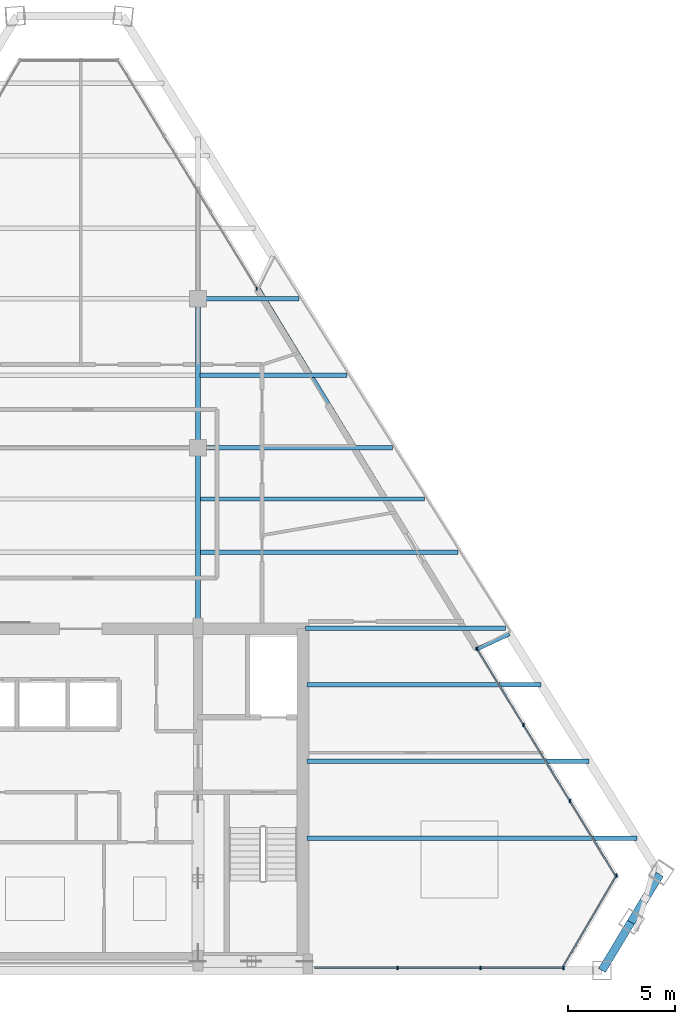
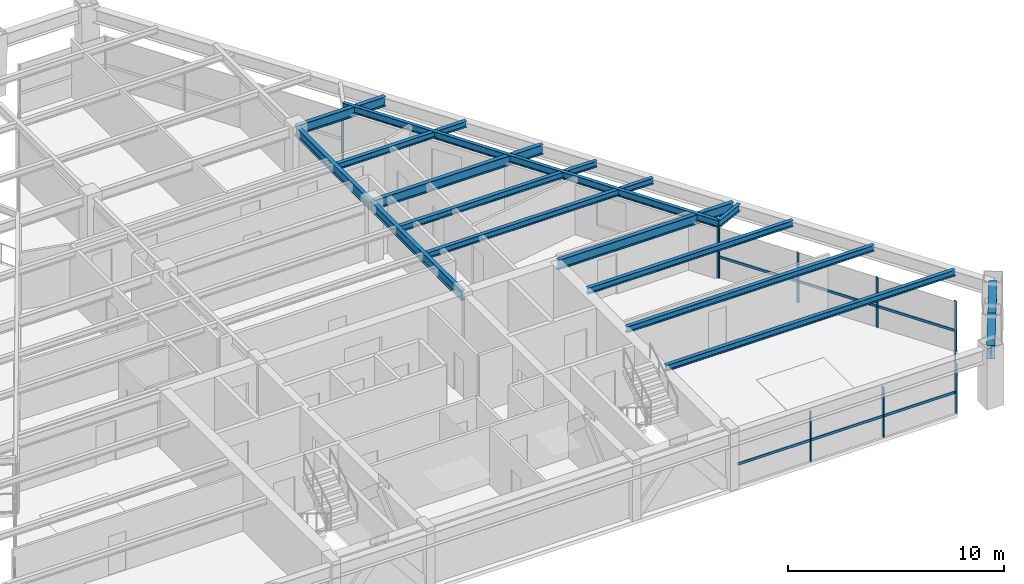
# One storey, part 5 of 13: 16 members, 15 beams, 4 elements without a shape of their own.
"""IFC4 building model written with IfcOpenShell, lengths in metres."""

from ifc_helpers import new_model, si_unit, direction, frame, origin, origin_2d, place, context, subcontext, project, spatial, rectangle, i_section, extrude, source, transform, mapped, material, material_profile, profile_set, type_object, type_shapes, element, aggregate, save


model = new_model("IFC4")

# Units and contexts
model_context = context("Model", 3, precision=1e-05, world=origin(), true_north=direction((0.0, 1.0)))
body_context = subcontext(model_context, "Body", "Model", "MODEL_VIEW")
ifc_project = project(units=[si_unit("LENGTHUNIT", "METRE"), si_unit("AREAUNIT", "SQUARE_METRE"), si_unit("VOLUMEUNIT", "CUBIC_METRE"), si_unit("PLANEANGLEUNIT", "RADIAN"), si_unit("MASSUNIT", "GRAM", prefix="KILO")], contexts=[model_context])

# Site, building, storey
site_placement = place(None, origin())
site = spatial("IfcSite", under=ifc_project, at=site_placement, CompositionType="ELEMENT")
building_placement = place(site_placement, origin())
building = spatial("IfcBuilding", under=site, at=building_placement, Name="Varnakhor Terracotta Tower", CompositionType="ELEMENT")
storey_placement = place(building_placement, frame((0.0, 0.0, 251.050048828125)))
storey = spatial("IfcBuildingStorey", under=building, at=storey_placement, Name="L65", CompositionType="ELEMENT", Elevation=251.050048828125)

# Beams
ifc_material_1 = material(Name="Steel S355", Category="steel")
ifc_material_profile_1 = material_profile(ifc_material_1, i_section(OverallWidth=0.214111328125, OverallDepth=0.549072265625, WebThickness=0.014892578125, FlangeThickness=0.02392578125, FilletRadius=0.01806640625, at=origin_2d()), Name="W21X93")
ifc_profile_set_1 = profile_set([ifc_material_profile_1], Name="Steel S355")
beam_type_1 = type_object("IfcBeamType", Name="BM-W21X93", PredefinedType="BEAM", material=ifc_profile_set_1)
shared_shape_1 = source(origin(), body_context, "Body", "SweptSolid", [
    extrude(i_section(OverallWidth=0.214111328125, OverallDepth=0.549072265625, WebThickness=0.014892578125, FlangeThickness=0.02392578125, FilletRadius=0.01806640625, at=origin_2d()), origin(), (0.0, 0.0, 1.0), 8.449951171875),
])
type_shapes(beam_type_1, [shared_shape_1])
beam_1_placement = place(storey_placement, frame((5.5, 16.050048828125, 2.96533203125), z_axis=(0.0, 1.0, 0.0), x_axis=(-1.0, 0.0, 0.0)))
element("IfcBeam", 1, at=beam_1_placement, inside=storey, type_object=beam_type_1, Name="L65 Primary Girder NS1-E", PredefinedType="BEAM", context=body_context, shape_type="MappedRepresentation", body=[
    mapped(shared_shape_1, transform((0.0, 0.0, 0.0), scale=1.0)),
])
shared_shape_2 = source(origin(), body_context, "Body", "SweptSolid", [
    extrude(i_section(OverallWidth=0.214111328125, OverallDepth=0.549072265625, WebThickness=0.014892578125, FlangeThickness=0.02392578125, FilletRadius=0.01806640625, at=origin_2d()), origin(), (0.0, 0.0, 1.0), 7.0),
])
beam_2_placement = place(storey_placement, frame((5.5, 24.5, 2.96533203125), z_axis=(0.0, 1.0, 0.0), x_axis=(-1.0, 0.0, 0.0)))
element("IfcBeam", 2, at=beam_2_placement, inside=storey, type_object=beam_type_1, Name="L65 Primary Girder NS2-E", PredefinedType="BEAM", context=body_context, shape_type="MappedRepresentation", body=[
    mapped(shared_shape_2, transform((0.0, 0.0, 0.0), scale=1.0)),
])
ifc_material_profile_2 = material_profile(ifc_material_1, i_section(OverallWidth=0.381103515625, OverallDepth=0.77294921875, WebThickness=0.01708984375, FlangeThickness=0.027099609375, FilletRadius=0.01806640625, at=origin_2d()), Name="W30X173")
ifc_profile_set_2 = profile_set([ifc_material_profile_2], Name="Steel S355")
beam_type_2 = type_object("IfcBeamType", Name="BM-W30X173", PredefinedType="BEAM", material=ifc_profile_set_2)
shared_shape_3 = source(origin(), body_context, "Body", "SweptSolid", [
    extrude(i_section(OverallWidth=0.381103515625, OverallDepth=0.77294921875, WebThickness=0.01708984375, FlangeThickness=0.027099609375, FilletRadius=0.01806640625, at=origin_2d()), origin(), (0.0, 0.0, 1.0), 2.629150390625),
])
beam_3_placement = place(storey_placement, frame((24.44091796875, 0.0, 2.853515625), z_axis=(0.516501816572, 0.856286093241, 0.0), x_axis=(-0.856286093241, 0.516501816572, 0.0)))
element("IfcBeam", 3, at=beam_3_placement, inside=storey, type_object=beam_type_2, Name="L65 Perimeter Spandrel 2", PredefinedType="BEAM", context=body_context, shape_type="MappedRepresentation", body=[
    mapped(shared_shape_3, transform((0.0, 0.0, 0.0), scale=1.0)),
])
shared_shape_4 = source(origin(), body_context, "Body", "SweptSolid", [
    extrude(i_section(OverallWidth=0.381103515625, OverallDepth=0.77294921875, WebThickness=0.01708984375, FlangeThickness=0.027099609375, FilletRadius=0.01806640625, at=origin_2d()), origin(), (0.0, 0.0, 1.0), 2.62939453125),
])
beam_4_placement = place(storey_placement, frame((25.798828125, 2.251220703125, 2.853515625), z_axis=(0.516528831483, 0.85626979758, 0.0), x_axis=(-0.85626979758, 0.516528831483, 0.0)))
element("IfcBeam", 4, at=beam_4_placement, inside=storey, type_object=beam_type_2, Name="L65 Perimeter Spandrel 3", PredefinedType="BEAM", context=body_context, shape_type="MappedRepresentation", body=[
    mapped(shared_shape_4, transform((0.0, 0.0, 0.0), scale=1.0)),
])
ifc_material_profile_3 = material_profile(ifc_material_1, i_section(OverallWidth=0.179931640625, OverallDepth=0.39990234375, WebThickness=0.008544921875, FlangeThickness=0.013427734375, FilletRadius=0.01806640625, at=origin_2d()), Name="IPE400")
ifc_profile_set_3 = profile_set([ifc_material_profile_3], Name="Steel S355")
beam_type_3 = type_object("IfcBeamType", Name="JST-IPE400", PredefinedType="JOIST", material=ifc_profile_set_3)
shared_shape_5 = source(origin(), body_context, "Body", "SweptSolid", [
    extrude(i_section(OverallWidth=0.179931640625, OverallDepth=0.39990234375, WebThickness=0.008544921875, FlangeThickness=0.013427734375, FilletRadius=0.01806640625, at=origin_2d()), origin(), (0.0, 0.0, 1.0), 19.814453125),
])
beam_5_placement = place(storey_placement, frame((18.60791015625, 15.076904296875, 3.0400390625), z_axis=(-0.519654143404, 0.854376715063, 0.0), x_axis=(-0.854376715063, -0.519654143404, 0.0)))
element("IfcBeam", 5, at=beam_5_placement, inside=storey, type_object=beam_type_3, Name="L65 Loggia Edge Beam 1", PredefinedType="JOIST", context=body_context, shape_type="MappedRepresentation", body=[
    mapped(shared_shape_5, transform((0.0, 0.0, 0.0), scale=1.0)),
])
shared_shape_6 = source(origin(), body_context, "Body", "SweptSolid", [
    extrude(i_section(OverallWidth=0.214111328125, OverallDepth=0.549072265625, WebThickness=0.014892578125, FlangeThickness=0.02392578125, FilletRadius=0.01806640625, at=origin_2d()), origin(), (0.0, 0.0, 1.0), 9.372314453125),
])
beam_6_placement = place(storey_placement, frame((10.550048828125, 16.050048828125, 2.96533203125), z_axis=(1.0, 0.0, 0.0), x_axis=(0.0, 1.0, 0.0)))
element("IfcBeam", 6, at=beam_6_placement, inside=storey, type_object=beam_type_1, Name="L65 Wing Girder E", PredefinedType="BEAM", context=body_context, shape_type="MappedRepresentation", body=[
    mapped(shared_shape_6, transform((0.0, 0.0, 0.0), scale=1.0)),
])
shared_shape_7 = source(origin(), body_context, "Body", "SweptSolid", [
    extrude(i_section(OverallWidth=0.214111328125, OverallDepth=0.549072265625, WebThickness=0.014892578125, FlangeThickness=0.02392578125, FilletRadius=0.01806640625, at=origin_2d()), origin(), (0.0, 0.0, 1.0), 9.12841796875),
])
beam_7_placement = place(storey_placement, frame((5.5, 24.5, 2.96533203125), z_axis=(1.0, 0.0, 0.0), x_axis=(0.0, 1.0, 0.0)))
element("IfcBeam", 7, at=beam_7_placement, inside=storey, type_object=beam_type_1, Name="L65 Primary Girder EW2-3", PredefinedType="BEAM", context=body_context, shape_type="MappedRepresentation", body=[
    mapped(shared_shape_7, transform((0.0, 0.0, 0.0), scale=1.0)),
])
shared_shape_8 = source(origin(), body_context, "Body", "SweptSolid", [
    extrude(i_section(OverallWidth=0.214111328125, OverallDepth=0.549072265625, WebThickness=0.014892578125, FlangeThickness=0.02392578125, FilletRadius=0.01806640625, at=origin_2d()), origin(), (0.0, 0.0, 1.0), 4.74267578125),
])
beam_8_placement = place(storey_placement, frame((5.5, 31.5, 2.96533203125), z_axis=(1.0, 0.0, 0.0), x_axis=(0.0, 1.0, 0.0)))
element("IfcBeam", 8, at=beam_8_placement, inside=storey, type_object=beam_type_1, Name="L65 Primary Girder EW3-3", PredefinedType="BEAM", context=body_context, shape_type="MappedRepresentation", body=[
    mapped(shared_shape_8, transform((0.0, 0.0, 0.0), scale=1.0)),
])
ifc_material_profile_4 = material_profile(ifc_material_1, i_section(OverallWidth=0.202880859375, OverallDepth=0.346923828125, WebThickness=0.0078125, FlangeThickness=0.013427734375, FilletRadius=0.01806640625, at=origin_2d()), Name="W14X43")
ifc_profile_set_4 = profile_set([ifc_material_profile_4], Name="Steel S355")
beam_type_4 = type_object("IfcBeamType", Name="JST-W14X43", PredefinedType="JOIST", material=ifc_profile_set_4)
shared_shape_9 = source(origin(), body_context, "Body", "SweptSolid", [
    extrude(i_section(OverallWidth=0.202880859375, OverallDepth=0.346923828125, WebThickness=0.0078125, FlangeThickness=0.013427734375, FilletRadius=0.01806640625, at=origin_2d()), origin(), (0.0, 0.0, 1.0), 15.49365234375),
])
beam_9_placement = place(storey_placement, frame((10.60009765625, 6.199951171875, 3.06640625), z_axis=(1.0, 0.0, 0.0), x_axis=(0.0, 1.0, 0.0)))
element("IfcBeam", 9, at=beam_9_placement, inside=storey, type_object=beam_type_4, Name="L65 Floor Joist E1", PredefinedType="JOIST", context=body_context, shape_type="MappedRepresentation", body=[
    mapped(shared_shape_9, transform((0.0, 0.0, 0.0), scale=1.0)),
])
shared_shape_10 = source(origin(), body_context, "Body", "SweptSolid", [
    extrude(i_section(OverallWidth=0.202880859375, OverallDepth=0.346923828125, WebThickness=0.0078125, FlangeThickness=0.013427734375, FilletRadius=0.01806640625, at=origin_2d()), origin(), (0.0, 0.0, 1.0), 13.238037109375),
])
beam_10_placement = place(storey_placement, frame((10.60009765625, 9.800048828125, 3.06640625), z_axis=(1.0, 0.0, 0.0), x_axis=(0.0, 1.0, 0.0)))
element("IfcBeam", 10, at=beam_10_placement, inside=storey, type_object=beam_type_4, Name="L65 Floor Joist E2", PredefinedType="JOIST", context=body_context, shape_type="MappedRepresentation", body=[
    mapped(shared_shape_10, transform((0.0, 0.0, 0.0), scale=1.0)),
])
shared_shape_11 = source(origin(), body_context, "Body", "SweptSolid", [
    extrude(i_section(OverallWidth=0.202880859375, OverallDepth=0.346923828125, WebThickness=0.0078125, FlangeThickness=0.013427734375, FilletRadius=0.01806640625, at=origin_2d()), origin(), (0.0, 0.0, 1.0), 10.982666015625),
])
beam_11_placement = place(storey_placement, frame((10.60009765625, 13.39990234375, 3.06640625), z_axis=(1.0, 0.0, 0.0), x_axis=(0.0, 1.0, 0.0)))
element("IfcBeam", 11, at=beam_11_placement, inside=storey, type_object=beam_type_4, Name="L65 Floor Joist E3", PredefinedType="JOIST", context=body_context, shape_type="MappedRepresentation", body=[
    mapped(shared_shape_11, transform((0.0, 0.0, 0.0), scale=1.0)),
])
shared_shape_12 = source(origin(), body_context, "Body", "SweptSolid", [
    extrude(i_section(OverallWidth=0.202880859375, OverallDepth=0.346923828125, WebThickness=0.0078125, FlangeThickness=0.013427734375, FilletRadius=0.01806640625, at=origin_2d()), origin(), (0.0, 0.0, 1.0), 12.09521484375),
])
beam_12_placement = place(storey_placement, frame((5.60302734375, 19.60009765625, 3.06640625), z_axis=(1.0, 0.0, 0.0), x_axis=(0.0, 1.0, 0.0)))
element("IfcBeam", 12, at=beam_12_placement, inside=storey, type_object=beam_type_4, Name="L65 Composite Floor Joist 4-3", PredefinedType="JOIST", context=body_context, shape_type="MappedRepresentation", body=[
    mapped(shared_shape_12, transform((0.0, 0.0, 0.0), scale=1.0)),
])
shared_shape_13 = source(origin(), body_context, "Body", "SweptSolid", [
    extrude(i_section(OverallWidth=0.202880859375, OverallDepth=0.346923828125, WebThickness=0.0078125, FlangeThickness=0.013427734375, FilletRadius=0.01806640625, at=origin_2d()), origin(), (0.0, 0.0, 1.0), 10.52880859375),
])
beam_13_placement = place(storey_placement, frame((5.60302734375, 22.10009765625, 3.06640625), z_axis=(1.0, 0.0, 0.0), x_axis=(0.0, 1.0, 0.0)))
element("IfcBeam", 13, at=beam_13_placement, inside=storey, type_object=beam_type_4, Name="L65 Composite Floor Joist 5-3", PredefinedType="JOIST", context=body_context, shape_type="MappedRepresentation", body=[
    mapped(shared_shape_13, transform((0.0, 0.0, 0.0), scale=1.0)),
])
shared_shape_14 = source(origin(), body_context, "Body", "SweptSolid", [
    extrude(i_section(OverallWidth=0.202880859375, OverallDepth=0.346923828125, WebThickness=0.0078125, FlangeThickness=0.013427734375, FilletRadius=0.01806640625, at=origin_2d()), origin(), (0.0, 0.0, 1.0), 6.89501953125),
])
beam_14_placement = place(storey_placement, frame((5.60302734375, 27.89990234375, 3.06640625), z_axis=(1.0, 0.0, 0.0), x_axis=(0.0, 1.0, 0.0)))
element("IfcBeam", 14, at=beam_14_placement, inside=storey, type_object=beam_type_4, Name="L65 Composite Floor Joist 6-3", PredefinedType="JOIST", context=body_context, shape_type="MappedRepresentation", body=[
    mapped(shared_shape_14, transform((0.0, 0.0, 0.0), scale=1.0)),
])

# Curtain wall, members
ifc_material_2 = material(Name="Anodised Aluminium Curtain Wall System", Category="aluminium")
curtain_wall_type = type_object("IfcCurtainWallType", Name="CW-SYS-HOTEL-LOGGIA", PredefinedType="NOTDEFINED", material=ifc_material_2)
curtain_wall_1_placement = place(storey_placement, origin())
curtain_wall_1 = element("IfcCurtainWall", 15, at=curtain_wall_1_placement, inside=storey, type_object=curtain_wall_type, Name="L65 E Facet Curtain Wall 2", PredefinedType="NOTDEFINED")
ifc_material_3 = material(Name="Anodised Aluminium 6063-T6", Category="aluminium")
ifc_material_profile_5 = material_profile(ifc_material_3, rectangle(XDim=0.06494140625, YDim=0.159912109375, at=origin_2d()), Name="ALU MULLION 65x160")
ifc_profile_set_5 = profile_set([ifc_material_profile_5], Name="Anodised Aluminium 6063-T6")
member_type_1 = type_object("IfcMemberType", Name="CWM-04", PredefinedType="MULLION", material=ifc_profile_set_5)
shared_shape_15 = source(origin(), body_context, "Body", "SweptSolid", [
    extrude(rectangle(XDim=0.06494140625, YDim=0.159912109375, at=origin_2d()), origin(), (0.0, 0.0, 1.0), 2.820068359375),
])
type_shapes(member_type_1, [shared_shape_15])
member_1_placement = place(storey_placement, frame((18.593505859375, 15.065185546875, 0.0), z_axis=(0.0, 0.0, 1.0), x_axis=(1.0, 0.0, 0.0)))
member_1 = element("IfcMember", 16, at=member_1_placement, type_object=member_type_1, Name="L65 E Facet Curtain Wall 2 Mullion 1", PredefinedType="MULLION", context=body_context, shape_type="MappedRepresentation", body=[
    mapped(shared_shape_15, transform((0.0, 0.0, 0.0), scale=1.0)),
])
member_2_placement = place(storey_placement, frame((20.768798828125, 11.50146484375, 0.0), z_axis=(0.0, 0.0, 1.0), x_axis=(1.0, 0.0, 0.0)))
member_2 = element("IfcMember", 17, at=member_2_placement, type_object=member_type_1, Name="L65 E Facet Curtain Wall 2 Mullion 2", PredefinedType="MULLION", context=body_context, shape_type="MappedRepresentation", body=[
    mapped(shared_shape_15, transform((0.0, 0.0, 0.0), scale=1.0)),
])
member_3_placement = place(storey_placement, frame((22.944091796875, 7.937744140625, 0.0), z_axis=(0.0, 0.0, 1.0), x_axis=(1.0, 0.0, 0.0)))
member_3 = element("IfcMember", 18, at=member_3_placement, type_object=member_type_1, Name="L65 E Facet Curtain Wall 2 Mullion 3", PredefinedType="MULLION", context=body_context, shape_type="MappedRepresentation", body=[
    mapped(shared_shape_15, transform((0.0, 0.0, 0.0), scale=1.0)),
])

# Curtain wall, member
curtain_wall_2_placement = place(storey_placement, origin())
curtain_wall_2 = element("IfcCurtainWall", 19, at=curtain_wall_2_placement, inside=storey, type_object=curtain_wall_type, Name="L65 E Facet Curtain Wall 1", PredefinedType="NOTDEFINED")
member_4_placement = place(storey_placement, frame((8.25634765625, 31.96142578125, 0.0), z_axis=(0.0, 0.0, 1.0), x_axis=(1.0, 0.0, 0.0)))
member_4 = element("IfcMember", 20, at=member_4_placement, type_object=member_type_1, Name="L65 E Loggia Jamb Closure Mullion 1", PredefinedType="MULLION", context=body_context, shape_type="MappedRepresentation", body=[
    mapped(shared_shape_15, transform((0.0, 0.0, 0.0), scale=1.0)),
])
aggregate(curtain_wall_2, [member_4])

# Member
member_5_placement = place(storey_placement, frame((18.560791015625, 15.080322265625, 0.0), z_axis=(0.0, 0.0, 1.0), x_axis=(1.0, 0.0, 0.0)))
member_5 = element("IfcMember", 21, at=member_5_placement, type_object=member_type_1, Name="L65 E Loggia Jamb Closure Mullion 2", PredefinedType="MULLION", context=body_context, shape_type="MappedRepresentation", body=[
    mapped(shared_shape_15, transform((0.0, 0.0, 0.0), scale=1.0)),
])

# Curtain wall, member
curtain_wall_3_placement = place(storey_placement, origin())
curtain_wall_3 = element("IfcCurtainWall", 22, at=curtain_wall_3_placement, inside=storey, type_object=curtain_wall_type, Name="L65 Facet Curtain Wall 4", PredefinedType="NOTDEFINED")
member_6_placement = place(storey_placement, frame((25.118896484375, 4.445556640625, 0.0), z_axis=(0.0, 0.0, 1.0), x_axis=(1.0, 0.0, 0.0)))
member_6 = element("IfcMember", 23, at=member_6_placement, type_object=member_type_1, Name="L65 Facet Curtain Wall 4 Mullion 1", PredefinedType="MULLION", context=body_context, shape_type="MappedRepresentation", body=[
    mapped(shared_shape_15, transform((0.0, 0.0, 0.0), scale=1.0)),
])

# Curtain wall, members
curtain_wall_4_placement = place(storey_placement, origin())
curtain_wall_4 = element("IfcCurtainWall", 24, at=curtain_wall_4_placement, inside=storey, type_object=curtain_wall_type, Name="L65 South Wing Curtain Wall SSE", PredefinedType="NOTDEFINED")
member_7_placement = place(storey_placement, frame((22.646484375, 0.1201171875, 0.0), z_axis=(0.0, 0.0, 1.0), x_axis=(1.0, 0.0, 0.0)))
member_7 = element("IfcMember", 25, at=member_7_placement, type_object=member_type_1, Name="L65 South Wing Curtain Wall SSE Mullion 1", PredefinedType="MULLION", context=body_context, shape_type="MappedRepresentation", body=[
    mapped(shared_shape_15, transform((0.0, 0.0, 0.0), scale=1.0)),
])
member_8_placement = place(storey_placement, frame((18.75439453125, 0.1201171875, 0.0), z_axis=(0.0, 0.0, 1.0), x_axis=(1.0, 0.0, 0.0)))
member_8 = element("IfcMember", 26, at=member_8_placement, type_object=member_type_1, Name="L65 South Wing Curtain Wall SSE Mullion 2", PredefinedType="MULLION", context=body_context, shape_type="MappedRepresentation", body=[
    mapped(shared_shape_15, transform((0.0, 0.0, 0.0), scale=1.0)),
])
member_9_placement = place(storey_placement, frame((14.8623046875, 0.1201171875, 0.0), z_axis=(0.0, 0.0, 1.0), x_axis=(1.0, 0.0, 0.0)))
member_9 = element("IfcMember", 27, at=member_9_placement, type_object=member_type_1, Name="L65 South Wing Curtain Wall SSE Mullion 3", PredefinedType="MULLION", context=body_context, shape_type="MappedRepresentation", body=[
    mapped(shared_shape_15, transform((0.0, 0.0, 0.0), scale=1.0)),
])

# Member
ifc_material_profile_6 = material_profile(ifc_material_3, rectangle(XDim=0.06494140625, YDim=0.14501953125, at=origin_2d()), Name="ALU TRANSOM 65x145")
ifc_profile_set_6 = profile_set([ifc_material_profile_6], Name="Anodised Aluminium 6063-T6")
member_type_2 = type_object("IfcMemberType", Name="CWT-04", PredefinedType="USERDEFINED", material=ifc_profile_set_6)
shared_shape_16 = source(origin(), body_context, "Body", "SweptSolid", [
    extrude(rectangle(XDim=0.06494140625, YDim=0.14501953125, at=origin_2d()), origin(), (0.0, 0.0, 1.0), 4.175048828125),
])
member_10_placement = place(storey_placement, frame((18.593505859375, 15.065185546875, 1.184326171875), z_axis=(0.521007635788, -0.853552015668, 0.0), x_axis=(0.853552015668, 0.521007635788, 0.0)))
member_10 = element("IfcMember", 28, at=member_10_placement, type_object=member_type_2, Name="L65 E Facet Curtain Wall 2 Transom 1", ObjectType="TRANSOM", PredefinedType="USERDEFINED", context=body_context, shape_type="MappedRepresentation", body=[
    mapped(shared_shape_16, transform((0.0, 0.0, 0.0), scale=1.0)),
])

member_11_placement = place(storey_placement, frame((20.768798828125, 11.50146484375, 1.184326171875), z_axis=(0.521007635788, -0.853552015668, 0.0), x_axis=(0.853552015668, 0.521007635788, 0.0)))
member_11 = element("IfcMember", 29, at=member_11_placement, type_object=member_type_2, Name="L65 E Facet Curtain Wall 2 Transom 2", ObjectType="TRANSOM", PredefinedType="USERDEFINED", context=body_context, shape_type="MappedRepresentation", body=[
    mapped(shared_shape_16, transform((0.0, 0.0, 0.0), scale=1.0)),
])

member_12_placement = place(storey_placement, frame((22.944091796875, 7.937744140625, 1.184326171875), z_axis=(0.521007635788, -0.853552015668, 0.0), x_axis=(0.853552015668, 0.521007635788, 0.0)))
member_12 = element("IfcMember", 30, at=member_12_placement, type_object=member_type_2, Name="L65 E Facet Curtain Wall 2 Transom 3", ObjectType="TRANSOM", PredefinedType="USERDEFINED", context=body_context, shape_type="MappedRepresentation", body=[
    mapped(shared_shape_16, transform((0.0, 0.0, 0.0), scale=1.0)),
])

aggregate(curtain_wall_1, [member_1, member_10, member_2, member_11, member_3, member_12, member_5])

shared_shape_17 = source(origin(), body_context, "Body", "SweptSolid", [
    extrude(rectangle(XDim=0.06494140625, YDim=0.14501953125, at=origin_2d()), origin(), (0.0, 0.0, 1.0), 5.050537109375),
])
member_13_placement = place(storey_placement, frame((25.118896484375, 4.445556640625, 1.184326171875), z_axis=(-0.505045722528, -0.863092589562, 0.0), x_axis=(0.863092589562, -0.505045722528, 0.0)))
member_13 = element("IfcMember", 31, at=member_13_placement, type_object=member_type_2, Name="L65 Facet Curtain Wall 4 Transom 1", ObjectType="TRANSOM", PredefinedType="USERDEFINED", context=body_context, shape_type="MappedRepresentation", body=[
    mapped(shared_shape_17, transform((0.0, 0.0, 0.0), scale=1.0)),
])

aggregate(curtain_wall_3, [member_6, member_13])

shared_shape_18 = source(origin(), body_context, "Body", "SweptSolid", [
    extrude(rectangle(XDim=0.06494140625, YDim=0.14501953125, at=origin_2d()), origin(), (0.0, 0.0, 1.0), 3.89208984375),
])
member_14_placement = place(storey_placement, frame((22.646484375, 0.1201171875, 1.184326171875), z_axis=(-1.0, 0.0, 0.0), x_axis=(0.0, -1.0, 0.0)))
member_14 = element("IfcMember", 32, at=member_14_placement, type_object=member_type_2, Name="L65 South Wing Curtain Wall SSE Transom 1", ObjectType="TRANSOM", PredefinedType="USERDEFINED", context=body_context, shape_type="MappedRepresentation", body=[
    mapped(shared_shape_18, transform((0.0, 0.0, 0.0), scale=1.0)),
])

member_15_placement = place(storey_placement, frame((18.75439453125, 0.1201171875, 1.184326171875), z_axis=(-1.0, 0.0, 0.0), x_axis=(0.0, -1.0, 0.0)))
member_15 = element("IfcMember", 33, at=member_15_placement, type_object=member_type_2, Name="L65 South Wing Curtain Wall SSE Transom 2", ObjectType="TRANSOM", PredefinedType="USERDEFINED", context=body_context, shape_type="MappedRepresentation", body=[
    mapped(shared_shape_18, transform((0.0, 0.0, 0.0), scale=1.0)),
])

shared_shape_19 = source(origin(), body_context, "Body", "SweptSolid", [
    extrude(rectangle(XDim=0.06494140625, YDim=0.14501953125, at=origin_2d()), origin(), (0.0, 0.0, 1.0), 3.892333984375),
])
member_16_placement = place(storey_placement, frame((14.8623046875, 0.1201171875, 1.184326171875), z_axis=(-1.0, 0.0, 0.0), x_axis=(0.0, -1.0, 0.0)))
member_16 = element("IfcMember", 34, at=member_16_placement, type_object=member_type_2, Name="L65 South Wing Curtain Wall SSE Transom 3", ObjectType="TRANSOM", PredefinedType="USERDEFINED", context=body_context, shape_type="MappedRepresentation", body=[
    mapped(shared_shape_19, transform((0.0, 0.0, 0.0), scale=1.0)),
])

aggregate(curtain_wall_4, [member_7, member_14, member_8, member_15, member_9, member_16])

# Beam
shared_shape_20 = source(origin(), body_context, "Body", "SweptSolid", [
    extrude(i_section(OverallWidth=0.179931640625, OverallDepth=0.39990234375, WebThickness=0.008544921875, FlangeThickness=0.013427734375, FilletRadius=0.01806640625, at=origin_2d()), origin(), (0.0, 0.0, 1.0), 1.642822265625),
])
beam_15_placement = place(storey_placement, frame((18.60791015625, 15.076904296875, 3.0400390625), z_axis=(0.90588679557, 0.423519909346, 0.0), x_axis=(-0.423519909346, 0.90588679557, 0.0)))
element("IfcBeam", 35, at=beam_15_placement, inside=storey, type_object=beam_type_3, Name="L66 E Loggia Tie Beam 2", PredefinedType="JOIST", context=body_context, shape_type="MappedRepresentation", body=[
    mapped(shared_shape_20, transform((0.0, 0.0, 0.0), scale=1.0)),
])

save(model, "model.ifc")
